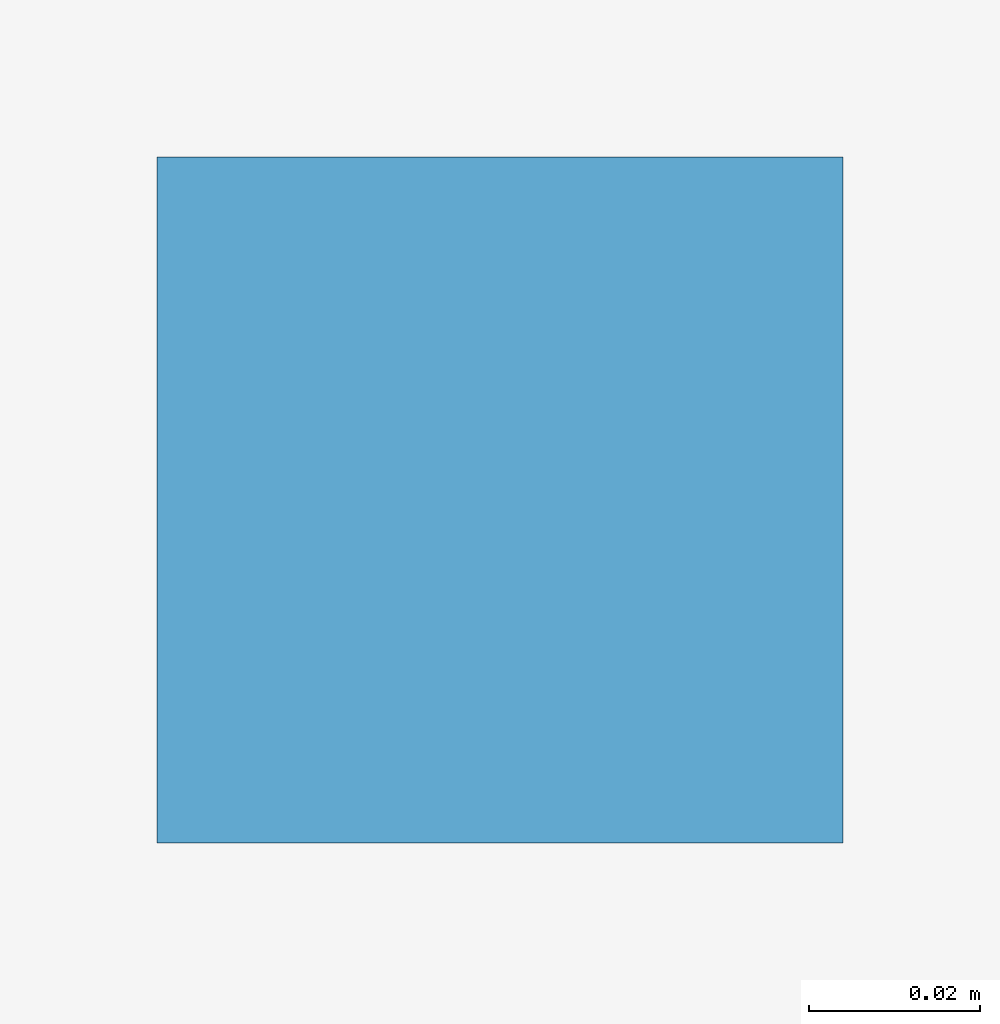
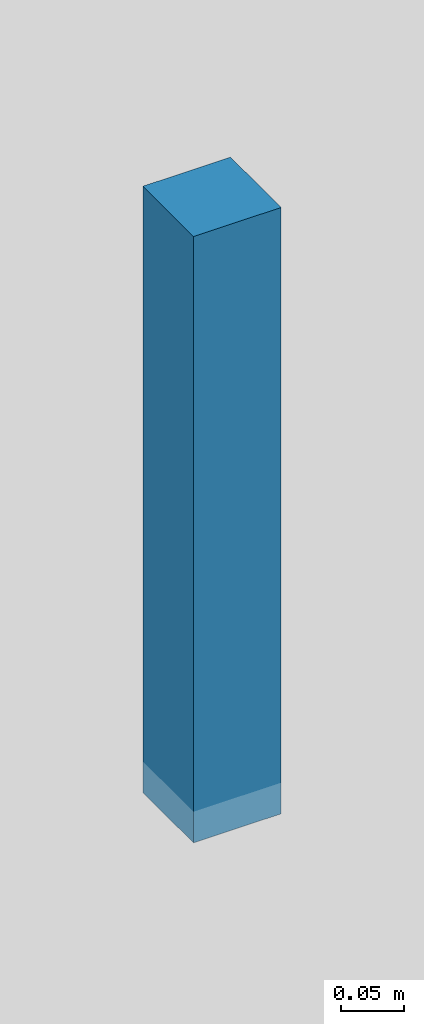
# One storey, part 13 of 18: 1 discrete accessory.
"""IFC4 building model written with IfcOpenShell, lengths in metres."""

from ifc_helpers import new_model, si_unit, direction, frame, origin, origin_2d, place, context, subcontext, project, spatial, rectangle, extrude, source, transform, mapped, material, type_object, element, save


model = new_model("IFC4")

# Units and contexts
model_context = context("Model", 3, precision=1e-05, world=origin(), true_north=direction((0.0, 1.0)))
body_context = subcontext(model_context, "Body", "Model", "MODEL_VIEW")
ifc_project = project(units=[si_unit("LENGTHUNIT", "METRE"), si_unit("AREAUNIT", "SQUARE_METRE"), si_unit("VOLUMEUNIT", "CUBIC_METRE"), si_unit("PLANEANGLEUNIT", "RADIAN"), si_unit("MASSUNIT", "GRAM", prefix="KILO")], contexts=[model_context])

# Site, building, storey
site_placement = place(None, origin())
site = spatial("IfcSite", under=ifc_project, at=site_placement, CompositionType="ELEMENT")
building_placement = place(site_placement, origin())
building = spatial("IfcBuilding", under=site, at=building_placement, Name="Giltprow Tower", CompositionType="ELEMENT")
storey_placement = place(building_placement, frame((0.0, 0.0, 245.10009765625)))
storey = spatial("IfcBuildingStorey", under=building, at=storey_placement, Name="L62", CompositionType="ELEMENT", Elevation=245.10009765625)

# Discrete accessory
ifc_material = material(Name="Structural steel Q355B", Category="steel")
discrete_accessory_type = type_object("IfcDiscreteAccessoryType", Name="ACC-CLG-HANGER", PredefinedType="BRACKET", material=ifc_material)
shared_shape = source(origin(), body_context, "Body", "SweptSolid", [
    extrude(rectangle(XDim=0.080078125, YDim=0.080078125, at=origin_2d()), origin(), (0.0, 0.0, 1.0), 0.5849609375),
])
discrete_accessory_placement = place(storey_placement, frame((35.0, 35.675048828125, 2.619384765625), z_axis=(0.0, 0.0, 1.0), x_axis=(1.0, 0.0, 0.0)))
element("IfcDiscreteAccessory", 1, at=discrete_accessory_placement, inside=storey, type_object=discrete_accessory_type, Name="L62 Residence Gallery Ceiling Suspension Hanger", PredefinedType="BRACKET", context=body_context, shape_type="MappedRepresentation", body=[
    mapped(shared_shape, transform((0.0, 0.0, 0.0), x_axis=(1.0, 0.0, 0.0), y_axis=(0.0, 1.0, 0.0), z_axis=(0.0, 0.0, 1.0), scale=1.0)),
])

save(model, "model.ifc")
